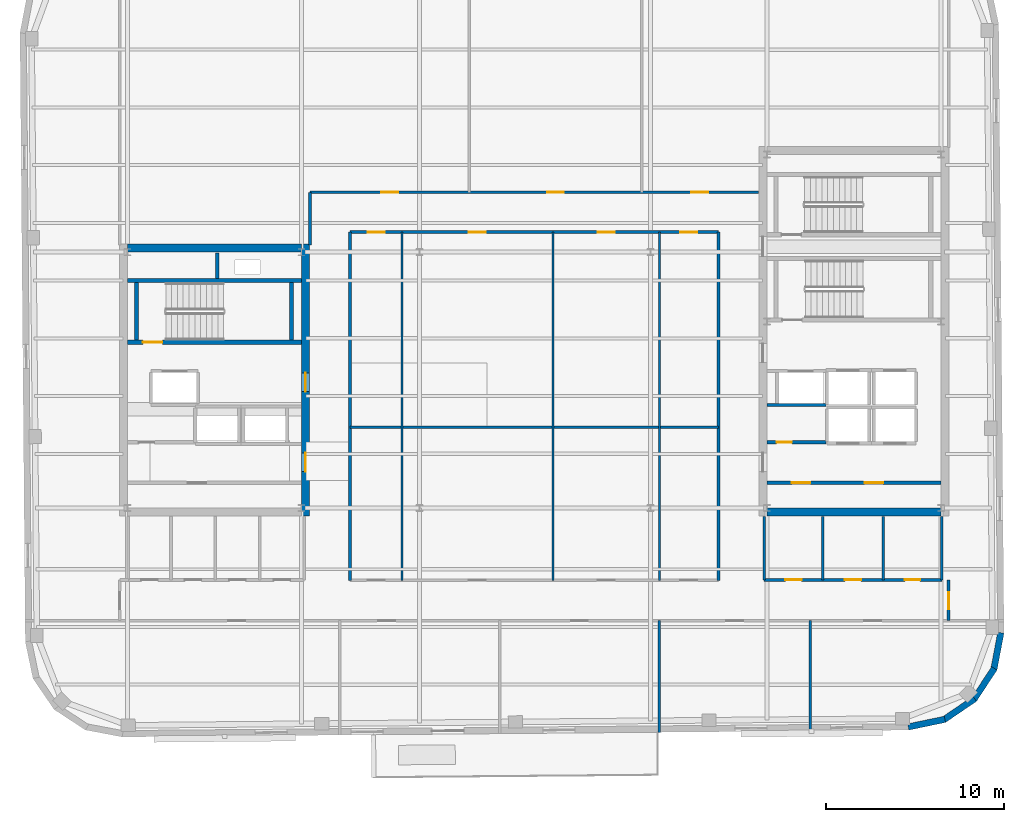
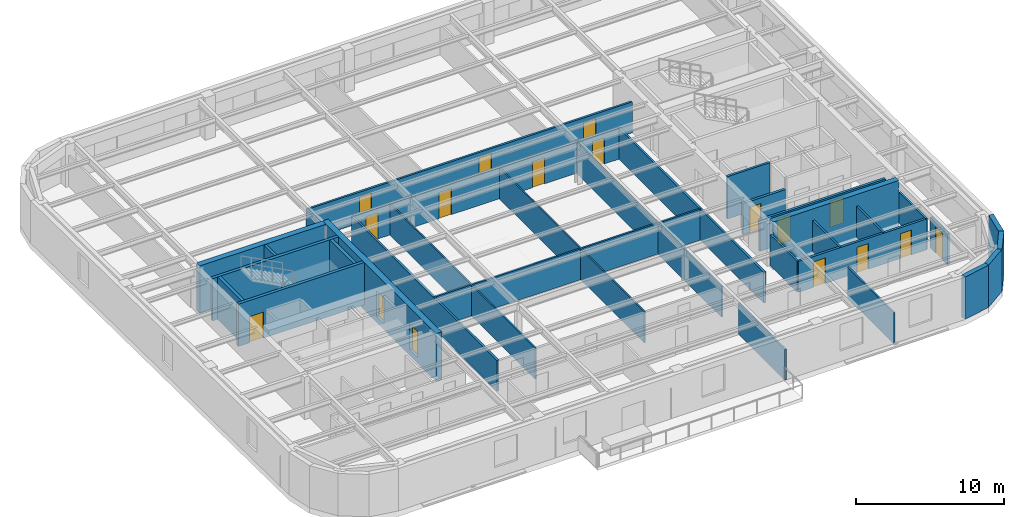
# One storey, part 8 of 14: 32 walls, 17 doors, 17 openings.
"""IFC4 building model written with IfcOpenShell, lengths in metres."""

from ifc_helpers import new_model, si_unit, direction, frame, frame_2d, origin, place, context, subcontext, project, spatial, rectangle, extrude, material, layer, layer_set, type_object, element, fill, save


model = new_model("IFC4")

# Units and contexts
model_context = context("Model", 3, precision=1e-05, world=origin(), true_north=direction((0.0, 1.0)))
body_context = subcontext(model_context, "Body", "Model", "MODEL_VIEW")
ifc_project = project(units=[si_unit("LENGTHUNIT", "METRE"), si_unit("AREAUNIT", "SQUARE_METRE"), si_unit("VOLUMEUNIT", "CUBIC_METRE"), si_unit("PLANEANGLEUNIT", "RADIAN"), si_unit("MASSUNIT", "GRAM", prefix="KILO")], contexts=[model_context])

# Site, building, storey
site_placement = place(None, origin())
site = spatial("IfcSite", under=ifc_project, at=site_placement, CompositionType="ELEMENT")
building_placement = place(site_placement, origin())
building = spatial("IfcBuilding", under=site, at=building_placement, Name="Kolvaren Arena Tower", CompositionType="ELEMENT")
storey_placement = place(building_placement, frame((0.0, 0.0, 274.89990234375)))
storey = spatial("IfcBuildingStorey", under=building, at=storey_placement, Name="L67", CompositionType="ELEMENT", Elevation=274.89990234375)

# Wall
ifc_material_1 = material(Name="Gypsum board acoustic assembly", Category="gypsum")
ifc_layer_1 = layer(ifc_material_1, 0.159912109375)
ifc_layer_set_1 = layer_set([ifc_layer_1], Name="Gypsum board acoustic assembly")
wall_type_1 = type_object("IfcWallType", Name="CORR-160", PredefinedType="PARTITIONING", material=ifc_layer_set_1)
wall_1_placement = place(storey_placement, frame((24.820068359375, 34.25, 0.0), z_axis=(0.0, 0.0, 1.0), x_axis=(0.0, 1.0, 0.0)))
element("IfcWall", 1, at=wall_1_placement, inside=storey, type_object=wall_type_1, Name="Interior Partition Wall (L67)", PredefinedType="PARTITIONING", context=body_context, shape_type="SweptSolid", body=[
    extrude(rectangle(XDim=2.969970703125, YDim=0.159912109375, at=frame_2d((1.48486328125, 0.0))), origin(), (0.0, 0.0, 1.0), 2.5400390625),
])

# Wall, openings, doors
wall_2_placement = place(storey_placement, frame((24.820068359375, 37.219970703125, 0.0), z_axis=(0.0, 0.0, 1.0), x_axis=(1.0, 0.0, 0.0)))
wall_2 = element("IfcWall", 2, at=wall_2_placement, inside=storey, type_object=wall_type_1, Name="Interior Partition Wall (L67)", PredefinedType="PARTITIONING", context=body_context, shape_type="SweptSolid", body=[
    extrude(rectangle(XDim=25.260009765625, YDim=0.159912109375, at=frame_2d((12.6298828125, 0.0))), origin(), (0.0, 0.0, 1.0), 2.5400390625),
])
opening_1_placement = place(wall_2_placement, frame((4.030029296875, 0.0, 0.0)))
opening_1 = element("IfcOpeningElement", 3, at=opening_1_placement, cuts=wall_2, Name="Opening D05", PredefinedType="OPENING", context=body_context, shape_type="SweptSolid", body=[
    extrude(rectangle(XDim=0.949951171875, YDim=2.14990234375, at=frame_2d((0.47509765625, 1.074951171875))), frame((0.0, 0.08984375, 0.0), z_axis=(0.0, -1.0, 0.0), x_axis=(1.0, 0.0, 0.0)), (0.0, 0.0, 1.0), 0.179931640625),
])
opening_2_placement = place(wall_2_placement, frame((13.35498046875, 0.0, 0.0)))
opening_2 = element("IfcOpeningElement", 4, at=opening_2_placement, cuts=wall_2, Name="Opening D05", PredefinedType="OPENING", context=body_context, shape_type="SweptSolid", body=[
    extrude(rectangle(XDim=0.949951171875, YDim=2.14990234375, at=frame_2d((0.47509765625, 1.074951171875))), frame((0.0, 0.08984375, 0.0), z_axis=(0.0, -1.0, 0.0), x_axis=(1.0, 0.0, 0.0)), (0.0, 0.0, 1.0), 0.179931640625),
])
opening_3_placement = place(wall_2_placement, frame((21.47998046875, 0.0, 0.0)))
opening_3 = element("IfcOpeningElement", 5, at=opening_3_placement, cuts=wall_2, Name="Opening D05", PredefinedType="OPENING", context=body_context, shape_type="SweptSolid", body=[
    extrude(rectangle(XDim=0.949951171875, YDim=2.14990234375, at=frame_2d((0.47509765625, 1.074951171875))), frame((0.0, 0.08984375, 0.0), z_axis=(0.0, -1.0, 0.0), x_axis=(1.0, 0.0, 0.0)), (0.0, 0.0, 1.0), 0.179931640625),
])
ifc_material_2 = material(Name="Solid-core oak acoustic office door", Category="wood")
door_type_1 = type_object("IfcDoorType", Name="DOOR-OF-095", OperationType="NOTDEFINED", PredefinedType="DOOR", material=ifc_material_2)
door_1_placement = place(opening_1_placement, origin())
door_1 = element("IfcDoor", 6, at=door_1_placement, inside=storey, type_object=door_type_1, Name="Breakout Pantry and Kitchen Door (L67)", OperationType="SINGLE_SWING_RIGHT", OverallHeight=2.14990234375, OverallWidth=0.949951171875, PredefinedType="DOOR", context=body_context, shape_type="SweptSolid", body=[
    extrude(rectangle(XDim=0.949951171875, YDim=2.14990234375, at=frame_2d((0.47509765625, 1.074951171875))), frame((0.0, 0.02490234375, 0.0), z_axis=(0.0, -1.0, 0.0), x_axis=(1.0, 0.0, 0.0)), (0.0, 0.0, 1.0), 0.050048828125),
])
fill(opening_1, door_1)
door_2_placement = place(opening_2_placement, origin())
door_2 = element("IfcDoor", 7, at=door_2_placement, inside=storey, type_object=door_type_1, Name="Open Plan Office Door (L67)", OperationType="SINGLE_SWING_LEFT", OverallHeight=2.14990234375, OverallWidth=0.949951171875, PredefinedType="DOOR", context=body_context, shape_type="SweptSolid", body=[
    extrude(rectangle(XDim=0.949951171875, YDim=2.14990234375, at=frame_2d((0.47509765625, 1.074951171875))), frame((0.0, 0.02490234375, 0.0), z_axis=(0.0, -1.0, 0.0), x_axis=(1.0, 0.0, 0.0)), (0.0, 0.0, 1.0), 0.050048828125),
])
fill(opening_2, door_2)
door_3_placement = place(opening_3_placement, origin())
door_3 = element("IfcDoor", 8, at=door_3_placement, inside=storey, type_object=door_type_1, Name="Training Seminar Room Door (L67)", OperationType="SINGLE_SWING_RIGHT", OverallHeight=2.14990234375, OverallWidth=0.949951171875, PredefinedType="DOOR", context=body_context, shape_type="SweptSolid", body=[
    extrude(rectangle(XDim=0.949951171875, YDim=2.14990234375, at=frame_2d((0.47509765625, 1.074951171875))), frame((0.0, 0.02490234375, 0.0), z_axis=(0.0, -1.0, 0.0), x_axis=(1.0, 0.0, 0.0)), (0.0, 0.0, 1.0), 0.050048828125),
])
fill(opening_3, door_3)

wall_3_placement = place(storey_placement, frame((27.080078125, 34.97998046875, 0.0), z_axis=(0.0, 0.0, 1.0), x_axis=(1.0, 0.0, 0.0)))
wall_3 = element("IfcWall", 9, at=wall_3_placement, inside=storey, type_object=wall_type_1, Name="Interior Partition Wall (L67)", PredefinedType="PARTITIONING", context=body_context, shape_type="SweptSolid", body=[
    extrude(rectangle(XDim=20.739990234375, YDim=0.159912109375, at=frame_2d((10.3701171875, 0.0))), origin(), (0.0, 0.0, 1.0), 2.5400390625),
])
opening_4_placement = place(wall_3_placement, frame((0.9951171875, 0.0, 0.0)))
opening_4 = element("IfcOpeningElement", 10, at=opening_4_placement, cuts=wall_3, Name="Opening D05", PredefinedType="OPENING", context=body_context, shape_type="SweptSolid", body=[
    extrude(rectangle(XDim=0.949951171875, YDim=2.14990234375, at=frame_2d((0.47509765625, 1.074951171875))), frame((0.0, 0.08984375, 0.0), z_axis=(0.0, -1.0, 0.0), x_axis=(1.0, 0.0, 0.0)), (0.0, 0.0, 1.0), 0.179931640625),
])
opening_5_placement = place(wall_3_placement, frame((6.695068359375, 0.0, 0.0)))
opening_5 = element("IfcOpeningElement", 11, at=opening_5_placement, cuts=wall_3, Name="Opening D05", PredefinedType="OPENING", context=body_context, shape_type="SweptSolid", body=[
    extrude(rectangle(XDim=0.949951171875, YDim=2.14990234375, at=frame_2d((0.47509765625, 1.074951171875))), frame((0.0, 0.08984375, 0.0), z_axis=(0.0, -1.0, 0.0), x_axis=(1.0, 0.0, 0.0)), (0.0, 0.0, 1.0), 0.179931640625),
])
opening_6_placement = place(wall_3_placement, frame((13.945068359375, 0.0, 0.0)))
opening_6 = element("IfcOpeningElement", 12, at=opening_6_placement, cuts=wall_3, Name="Opening D05", PredefinedType="OPENING", context=body_context, shape_type="SweptSolid", body=[
    extrude(rectangle(XDim=0.949951171875, YDim=2.14990234375, at=frame_2d((0.47509765625, 1.074951171875))), frame((0.0, 0.08984375, 0.0), z_axis=(0.0, -1.0, 0.0), x_axis=(1.0, 0.0, 0.0)), (0.0, 0.0, 1.0), 0.179931640625),
])
opening_7_placement = place(wall_3_placement, frame((18.594970703125, 0.0, 0.0)))
opening_7 = element("IfcOpeningElement", 13, at=opening_7_placement, cuts=wall_3, Name="Opening D05", PredefinedType="OPENING", context=body_context, shape_type="SweptSolid", body=[
    extrude(rectangle(XDim=0.949951171875, YDim=2.14990234375, at=frame_2d((0.47509765625, 1.074951171875))), frame((0.0, 0.08984375, 0.0), z_axis=(0.0, -1.0, 0.0), x_axis=(1.0, 0.0, 0.0)), (0.0, 0.0, 1.0), 0.179931640625),
])
door_4_placement = place(opening_4_placement, origin())
door_4 = element("IfcDoor", 14, at=door_4_placement, inside=storey, type_object=door_type_1, Name="Wellness Room Door (L67)", OperationType="SINGLE_SWING_LEFT", OverallHeight=2.14990234375, OverallWidth=0.949951171875, PredefinedType="DOOR", context=body_context, shape_type="SweptSolid", body=[
    extrude(rectangle(XDim=0.949951171875, YDim=2.14990234375, at=frame_2d((0.47509765625, 1.074951171875))), frame((0.0, 0.02490234375, 0.0), z_axis=(0.0, -1.0, 0.0), x_axis=(1.0, 0.0, 0.0)), (0.0, 0.0, 1.0), 0.050048828125),
])
fill(opening_4, door_4)
door_5_placement = place(opening_5_placement, origin())
door_5 = element("IfcDoor", 15, at=door_5_placement, inside=storey, type_object=door_type_1, Name="Boardroom Door (L67)", OperationType="SINGLE_SWING_LEFT", OverallHeight=2.14990234375, OverallWidth=0.949951171875, PredefinedType="DOOR", context=body_context, shape_type="SweptSolid", body=[
    extrude(rectangle(XDim=0.949951171875, YDim=2.14990234375, at=frame_2d((0.47509765625, 1.074951171875))), frame((0.0, 0.02490234375, 0.0), z_axis=(0.0, -1.0, 0.0), x_axis=(1.0, 0.0, 0.0)), (0.0, 0.0, 1.0), 0.050048828125),
])
fill(opening_5, door_5)
door_6_placement = place(opening_6_placement, origin())
door_6 = element("IfcDoor", 16, at=door_6_placement, inside=storey, type_object=door_type_1, Name="Client Lounge Door (L67)", OperationType="SINGLE_SWING_LEFT", OverallHeight=2.14990234375, OverallWidth=0.949951171875, PredefinedType="DOOR", context=body_context, shape_type="SweptSolid", body=[
    extrude(rectangle(XDim=0.949951171875, YDim=2.14990234375, at=frame_2d((0.47509765625, 1.074951171875))), frame((0.0, 0.02490234375, 0.0), z_axis=(0.0, -1.0, 0.0), x_axis=(1.0, 0.0, 0.0)), (0.0, 0.0, 1.0), 0.050048828125),
])
fill(opening_6, door_6)
door_7_placement = place(opening_7_placement, origin())
door_7 = element("IfcDoor", 17, at=door_7_placement, inside=storey, type_object=door_type_1, Name="Wellness Room Door (L67)", OperationType="SINGLE_SWING_LEFT", OverallHeight=2.14990234375, OverallWidth=0.949951171875, PredefinedType="DOOR", context=body_context, shape_type="SweptSolid", body=[
    extrude(rectangle(XDim=0.949951171875, YDim=2.14990234375, at=frame_2d((0.47509765625, 1.074951171875))), frame((0.0, 0.02490234375, 0.0), z_axis=(0.0, -1.0, 0.0), x_axis=(1.0, 0.0, 0.0)), (0.0, 0.0, 1.0), 0.050048828125),
])
fill(opening_7, door_7)

# Walls
for number, where, z_axis, x_axis, name in (
    (18, (27.080078125, 15.3798828125, 0.0), (0.0, 0.0, 1.0), (0.0, 1.0, 0.0), "Interior Partition Wall (L67)"),
    (19, (47.820068359375, 15.3798828125, 0.0), (0.0, 0.0, 1.0), (0.0, 1.0, 0.0), "Interior Partition Wall (L67)"),
):
    element("IfcWall", number, at=place(storey_placement, frame(where, z_axis=z_axis, x_axis=x_axis)), inside=storey, type_object=wall_type_1, Name=name, PredefinedType="PARTITIONING", context=body_context, shape_type="SweptSolid", body=[
        extrude(rectangle(XDim=19.60009765625, YDim=0.159912109375, at=frame_2d((9.800048828125, 0.0))), origin(), (0.0, 0.0, 1.0), 2.5400390625),
    ])

# Wall, opening, door
wall_4_placement = place(storey_placement, frame((60.780029296875, 13.10009765625, 0.0), z_axis=(0.0, 0.0, 1.0), x_axis=(0.0, 1.0, 0.0)))
wall_4 = element("IfcWall", 20, at=wall_4_placement, inside=storey, type_object=wall_type_1, Name="Interior Partition Wall (L67)", PredefinedType="PARTITIONING", context=body_context, shape_type="SweptSolid", body=[
    extrude(rectangle(XDim=2.2998046875, YDim=0.159912109375, at=frame_2d((1.14990234375, 0.0))), origin(), (0.0, 0.0, 1.0), 2.5400390625),
])
opening_8_placement = place(wall_4_placement, frame((0.64990234375, 0.0, 0.0)))
opening_8 = element("IfcOpeningElement", 21, at=opening_8_placement, cuts=wall_4, Name="Opening D05", PredefinedType="OPENING", context=body_context, shape_type="SweptSolid", body=[
    extrude(rectangle(XDim=0.949951171875, YDim=2.14990234375, at=frame_2d((0.47509765625, 1.074951171875))), frame((0.0, 0.08984375, 0.0), z_axis=(0.0, -1.0, 0.0), x_axis=(1.0, 0.0, 0.0)), (0.0, 0.0, 1.0), 0.179931640625),
])
door_8_placement = place(opening_8_placement, origin())
door_8 = element("IfcDoor", 22, at=door_8_placement, inside=storey, type_object=door_type_1, Name="East Wing Studio Door (L67)", OperationType="SINGLE_SWING_RIGHT", OverallHeight=2.14990234375, OverallWidth=0.949951171875, PredefinedType="DOOR", context=body_context, shape_type="SweptSolid", body=[
    extrude(rectangle(XDim=0.949951171875, YDim=2.14990234375, at=frame_2d((0.47509765625, 1.074951171875))), frame((0.0, 0.02490234375, 0.0), z_axis=(0.0, -1.0, 0.0), x_axis=(1.0, 0.0, 0.0)), (0.0, 0.0, 1.0), 0.050048828125),
])
fill(opening_8, door_8)

# Wall, openings, doors
ifc_material_3 = material(Name="Concrete 55 MPa", Category="concrete")
ifc_layer_2 = layer(ifc_material_3, 0.449951171875)
ifc_layer_set_2 = layer_set([ifc_layer_2], Name="Concrete 55 MPa")
wall_type_2 = type_object("IfcWallType", Name="CWALL-450", PredefinedType="SHEAR", material=ifc_layer_set_2)
wall_5_placement = place(storey_placement, frame((24.574951171875, 19.0, -0.449951171875), z_axis=(0.0, 0.0, 1.0), x_axis=(0.0, 1.0, 0.0)))
wall_5 = element("IfcWall", 23, at=wall_5_placement, inside=storey, type_object=wall_type_2, Name="Core Shear Wall WC-EAST (L67)", PredefinedType="SHEAR", context=body_context, shape_type="SweptSolid", body=[
    extrude(rectangle(XDim=15.300048828125, YDim=0.449951171875, at=frame_2d((7.64990234375, 0.0))), origin(), (0.0, 0.0, 1.0), 3.929931640625),
])
opening_9_placement = place(wall_5_placement, frame((2.5, 0.0, 0.449951171875)))
opening_9 = element("IfcOpeningElement", 24, at=opening_9_placement, cuts=wall_5, Name="Opening D04", PredefinedType="OPENING", context=body_context, shape_type="SweptSolid", body=[
    extrude(rectangle(XDim=1.050048828125, YDim=2.14990234375, at=frame_2d((0.52490234375, 1.074951171875))), frame((0.0, 0.23486328125, 0.0), z_axis=(0.0, -1.0, 0.0), x_axis=(1.0, 0.0, 0.0)), (0.0, 0.0, 1.0), 0.469970703125),
])
opening_10_placement = place(wall_5_placement, frame((7.0, 0.0, 0.449951171875)))
opening_10 = element("IfcOpeningElement", 25, at=opening_10_placement, cuts=wall_5, Name="Opening D04", PredefinedType="OPENING", context=body_context, shape_type="SweptSolid", body=[
    extrude(rectangle(XDim=1.050048828125, YDim=2.14990234375, at=frame_2d((0.52490234375, 1.074951171875))), frame((0.0, 0.23486328125, 0.0), z_axis=(0.0, -1.0, 0.0), x_axis=(1.0, 0.0, 0.0)), (0.0, 0.0, 1.0), 0.469970703125),
])
ifc_material_4 = material(Name="Fire-rated steel lobby door", Category="steel")
door_type_2 = type_object("IfcDoorType", Name="DOOR-FF-105", OperationType="NOTDEFINED", PredefinedType="DOOR", material=ifc_material_4)
door_9_placement = place(opening_9_placement, origin())
door_9 = element("IfcDoor", 26, at=door_9_placement, inside=storey, type_object=door_type_2, Name="West Lift Lobby Fire Door (L67)", OperationType="SINGLE_SWING_LEFT", OverallHeight=2.14990234375, OverallWidth=1.050048828125, PredefinedType="DOOR", context=body_context, shape_type="SweptSolid", body=[
    extrude(rectangle(XDim=1.050048828125, YDim=2.14990234375, at=frame_2d((0.52490234375, 1.074951171875))), frame((0.0, 0.02490234375, 0.0), z_axis=(0.0, -1.0, 0.0), x_axis=(1.0, 0.0, 0.0)), (0.0, 0.0, 1.0), 0.050048828125),
])
fill(opening_9, door_9)
door_10_placement = place(opening_10_placement, origin())
door_10 = element("IfcDoor", 27, at=door_10_placement, inside=storey, type_object=door_type_2, Name="West Firefighter Vestibule Door (L67)", OperationType="SINGLE_SWING_RIGHT", OverallHeight=2.14990234375, OverallWidth=1.050048828125, PredefinedType="DOOR", context=body_context, shape_type="SweptSolid", body=[
    extrude(rectangle(XDim=1.050048828125, YDim=2.14990234375, at=frame_2d((0.52490234375, 1.074951171875))), frame((0.0, 0.02490234375, 0.0), z_axis=(0.0, -1.0, 0.0), x_axis=(1.0, 0.0, 0.0)), (0.0, 0.0, 1.0), 0.050048828125),
])
fill(opening_10, door_10)

# Walls
for number, where, z_axis, x_axis, name in (
    (28, (14.550048828125, 34.074951171875, -0.449951171875), (0.0, 0.0, 1.0), (1.0, 0.0, 0.0), "Core Shear Wall WC-NORTH (L67)"),
    (29, (50.550048828125, 19.22509765625, -0.449951171875), (0.0, 0.0, 1.0), (1.0, 0.0, 0.0), "Core Shear Wall EC-SOUTH (L67)"),
):
    element("IfcWall", number, at=place(storey_placement, frame(where, z_axis=z_axis, x_axis=x_axis)), inside=storey, type_object=wall_type_2, Name=name, PredefinedType="SHEAR", context=body_context, shape_type="SweptSolid", body=[
        extrude(rectangle(XDim=9.800048828125, YDim=0.449951171875, at=frame_2d((4.89990234375, 0.0))), origin(), (0.0, 0.0, 1.0), 3.929931640625),
    ])
ifc_material_5 = material(Name="Precast concrete C50/60", Category="concrete")
ifc_layer_3 = layer(ifc_material_5, 0.360107421875)
ifc_layer_set_3 = layer_set([ifc_layer_3], Name="Precast concrete C50/60")
wall_type_3 = type_object("IfcWallType", Name="EXT-PIER2", PredefinedType="SOLIDWALL", material=ifc_layer_set_3)
wall_6_placement = place(storey_placement, frame((60.572265625, 7.54931640625, 0.0), z_axis=(0.0, 0.0, 1.0), x_axis=(-0.979059388908, -0.203574833883, 0.0)))
element("IfcWall", 30, at=wall_6_placement, inside=storey, type_object=wall_type_3, Name="Exterior Precast Masonry-Frame Wall (L67)", PredefinedType="SOLIDWALL", context=body_context, shape_type="SweptSolid", body=[
    extrude(rectangle(XDim=2.107177734375, YDim=0.360107421875, at=frame_2d((1.0537109375, 0.0))), origin(), (0.0, 0.0, 1.0), 3.47998046875),
])
for number, where, z_axis, x_axis, name in (
    (31, (62.2490234375, 8.707763671875, 0.0), (0.0, 0.0, 1.0), (-0.826572866302, -0.562829722645, 0.0), "Exterior Precast Masonry-Frame Wall (L67)"),
    (32, (63.35498046875, 10.419921875, 0.0), (0.0, 0.0, 1.0), (-0.54818559406, -0.836356714844, 0.0), "Exterior Precast Masonry-Frame Wall (L67)"),
    (33, (63.7216796875, 12.4248046875, 0.0), (0.0, 0.0, 1.0), (-0.186435855703, -0.98246713518, 0.0), "Exterior Precast Masonry-Frame Wall (L67)"),
):
    element("IfcWall", number, at=place(storey_placement, frame(where, z_axis=z_axis, x_axis=x_axis)), inside=storey, type_object=wall_type_3, Name=name, PredefinedType="SOLIDWALL", context=body_context, shape_type="SweptSolid", body=[
        extrude(rectangle(XDim=2.10693359375, YDim=0.360107421875, at=frame_2d((1.053466796875, 0.0))), origin(), (0.0, 0.0, 1.0), 3.47998046875),
    ])

# Wall, openings, doors
ifc_material_6 = material(Name="Concrete 40 MPa", Category="concrete")
ifc_layer_4 = layer(ifc_material_6, 0.199951171875)
ifc_layer_set_4 = layer_set([ifc_layer_4], Name="Concrete 40 MPa")
wall_type_4 = type_object("IfcWallType", Name="LOBBY-200", PredefinedType="SOLIDWALL", material=ifc_layer_set_4)
wall_7_placement = place(storey_placement, frame((50.550048828125, 20.8798828125, 0.0), z_axis=(0.0, 0.0, 1.0), x_axis=(1.0, 0.0, 0.0)))
wall_7 = element("IfcWall", 34, at=wall_7_placement, inside=storey, type_object=wall_type_4, Name="Core Shaft Wall (L67)", PredefinedType="SOLIDWALL", context=body_context, shape_type="SweptSolid", body=[
    extrude(rectangle(XDim=9.800048828125, YDim=0.199951171875, at=frame_2d((4.89990234375, 0.0))), origin(), (0.0, 0.0, 1.0), 2.5400390625),
])
opening_11_placement = place(wall_7_placement, frame((1.39990234375, 0.0, 0.0)))
opening_11 = element("IfcOpeningElement", 35, at=opening_11_placement, cuts=wall_7, Name="Opening D04", PredefinedType="OPENING", context=body_context, shape_type="SweptSolid", body=[
    extrude(rectangle(XDim=1.050048828125, YDim=2.14990234375, at=frame_2d((0.52490234375, 1.074951171875))), frame((0.0, 0.10986328125, 0.0), z_axis=(0.0, -1.0, 0.0), x_axis=(1.0, 0.0, 0.0)), (0.0, 0.0, 1.0), 0.219970703125),
])
opening_12_placement = place(wall_7_placement, frame((5.5, 0.0, 0.0)))
opening_12 = element("IfcOpeningElement", 36, at=opening_12_placement, cuts=wall_7, Name="Opening D04", PredefinedType="OPENING", context=body_context, shape_type="SweptSolid", body=[
    extrude(rectangle(XDim=1.050048828125, YDim=2.14990234375, at=frame_2d((0.52490234375, 1.074951171875))), frame((0.0, 0.10986328125, 0.0), z_axis=(0.0, -1.0, 0.0), x_axis=(1.0, 0.0, 0.0)), (0.0, 0.0, 1.0), 0.219970703125),
])
door_11_placement = place(opening_11_placement, origin())
door_11 = element("IfcDoor", 37, at=door_11_placement, inside=storey, type_object=door_type_2, Name="East Telecom Room Fire Door (L67)", OperationType="SINGLE_SWING_RIGHT", OverallHeight=2.14990234375, OverallWidth=1.050048828125, PredefinedType="DOOR", context=body_context, shape_type="SweptSolid", body=[
    extrude(rectangle(XDim=1.050048828125, YDim=2.14990234375, at=frame_2d((0.52490234375, 1.074951171875))), frame((0.0, 0.02490234375, 0.0), z_axis=(0.0, -1.0, 0.0), x_axis=(1.0, 0.0, 0.0)), (0.0, 0.0, 1.0), 0.050048828125),
])
fill(opening_11, door_11)
door_12_placement = place(opening_12_placement, origin())
door_12 = element("IfcDoor", 38, at=door_12_placement, inside=storey, type_object=door_type_2, Name="East Records Room Fire Door (L67)", OperationType="SINGLE_SWING_LEFT", OverallHeight=2.14990234375, OverallWidth=1.050048828125, PredefinedType="DOOR", context=body_context, shape_type="SweptSolid", body=[
    extrude(rectangle(XDim=1.050048828125, YDim=2.14990234375, at=frame_2d((0.52490234375, 1.074951171875))), frame((0.0, 0.02490234375, 0.0), z_axis=(0.0, -1.0, 0.0), x_axis=(1.0, 0.0, 0.0)), (0.0, 0.0, 1.0), 0.050048828125),
])
fill(opening_12, door_12)

# Wall, opening, door
wall_8_placement = place(storey_placement, frame((50.550048828125, 23.159912109375, 0.0), z_axis=(0.0, 0.0, 1.0), x_axis=(1.0, 0.0, 0.0)))
wall_8 = element("IfcWall", 39, at=wall_8_placement, inside=storey, type_object=wall_type_4, Name="Core Shaft Wall (L67)", PredefinedType="SOLIDWALL", context=body_context, shape_type="SweptSolid", body=[
    extrude(rectangle(XDim=3.329833984375, YDim=0.199951171875, at=frame_2d((1.6650390625, 0.0))), origin(), (0.0, 0.0, 1.0), 2.5400390625),
])
opening_13_placement = place(wall_8_placement, frame((0.550048828125, 0.0, 0.0)))
opening_13 = element("IfcOpeningElement", 40, at=opening_13_placement, cuts=wall_8, Name="Opening D09", PredefinedType="OPENING", context=body_context, shape_type="SweptSolid", body=[
    extrude(rectangle(XDim=0.860107421875, YDim=2.050048828125, at=frame_2d((0.43017578125, 1.02490234375))), frame((0.0, 0.10986328125, 0.0), z_axis=(0.0, -1.0, 0.0), x_axis=(1.0, 0.0, 0.0)), (0.0, 0.0, 1.0), 0.219970703125),
])
ifc_material_7 = material(Name="Fire-rated steel riser access door", Category="steel")
door_type_3 = type_object("IfcDoorType", Name="DOOR-RS-086", OperationType="NOTDEFINED", PredefinedType="DOOR", material=ifc_material_7)
door_13_placement = place(opening_13_placement, origin())
door_13 = element("IfcDoor", 41, at=door_13_placement, inside=storey, type_object=door_type_3, Name="East AV Riser Closet Door (L67)", OperationType="SINGLE_SWING_LEFT", OverallHeight=2.050048828125, OverallWidth=0.860107421875, PredefinedType="DOOR", context=body_context, shape_type="SweptSolid", body=[
    extrude(rectangle(XDim=0.860107421875, YDim=2.050048828125, at=frame_2d((0.43017578125, 1.02490234375))), frame((0.0, 0.02490234375, 0.0), z_axis=(0.0, -1.0, 0.0), x_axis=(1.0, 0.0, 0.0)), (0.0, 0.0, 1.0), 0.050048828125),
])
fill(opening_13, door_13)

# Walls
ifc_material_8 = material(Name="Gypsum board partition assembly", Category="gypsum")
ifc_layer_5 = layer(ifc_material_8, 0.114990234375)
ifc_layer_set_5 = layer_set([ifc_layer_5], Name="Gypsum board partition assembly")
wall_type_5 = type_object("IfcWallType", Name="PART-115", PredefinedType="PARTITIONING", material=ifc_layer_set_5)
for number, where, z_axis, x_axis, name in (
    (42, (30.0, 15.3798828125, 0.0), (0.0, 0.0, 1.0), (0.0, 1.0, 0.0), "Interior Partition Wall (L67)"),
    (43, (38.5, 15.3798828125, 0.0), (0.0, 0.0, 1.0), (0.0, 1.0, 0.0), "Interior Partition Wall (L67)"),
    (44, (44.5, 15.3798828125, 0.0), (0.0, 0.0, 1.0), (0.0, 1.0, 0.0), "Interior Partition Wall (L67)"),
):
    element("IfcWall", number, at=place(storey_placement, frame(where, z_axis=z_axis, x_axis=x_axis)), inside=storey, type_object=wall_type_5, Name=name, PredefinedType="PARTITIONING", context=body_context, shape_type="SweptSolid", body=[
        extrude(rectangle(XDim=19.60009765625, YDim=0.114990234375, at=frame_2d((9.800048828125, 0.0))), origin(), (0.0, 0.0, 1.0), 2.5400390625),
    ])
ifc_layer_6 = layer(ifc_material_8, 0.135009765625)
ifc_layer_set_6 = layer_set([ifc_layer_6], Name="Gypsum board partition assembly")
wall_type_6 = type_object("IfcWallType", Name="PART-135", PredefinedType="PARTITIONING", material=ifc_layer_set_6)
wall_9_placement = place(storey_placement, frame((44.5, 6.821533203125, 0.0), z_axis=(0.0, 0.0, 1.0), x_axis=(0.0, 1.0, 0.0)))
element("IfcWall", 45, at=wall_9_placement, inside=storey, type_object=wall_type_6, Name="Interior Partition Wall (L67)", PredefinedType="PARTITIONING", context=body_context, shape_type="SweptSolid", body=[
    extrude(rectangle(XDim=6.278564453125, YDim=0.135009765625, at=frame_2d((3.13916015625, 0.0))), origin(), (0.0, 0.0, 1.0), 2.5400390625),
])
wall_10_placement = place(storey_placement, frame((53.0, 6.895751953125, 0.0), z_axis=(0.0, 0.0, 1.0), x_axis=(0.0, 1.0, 0.0)))
element("IfcWall", 46, at=wall_10_placement, inside=storey, type_object=wall_type_6, Name="Interior Partition Wall (L67)", PredefinedType="PARTITIONING", context=body_context, shape_type="SweptSolid", body=[
    extrude(rectangle(XDim=6.204345703125, YDim=0.135009765625, at=frame_2d((3.10205078125, 0.0))), origin(), (0.0, 0.0, 1.0), 2.5400390625),
])
wall_11_placement = place(storey_placement, frame((27.080078125, 24.0, 0.0), z_axis=(0.0, 0.0, 1.0), x_axis=(1.0, 0.0, 0.0)))
element("IfcWall", 47, at=wall_11_placement, inside=storey, type_object=wall_type_6, Name="Interior Partition Wall (L67)", PredefinedType="PARTITIONING", context=body_context, shape_type="SweptSolid", body=[
    extrude(rectangle(XDim=20.739990234375, YDim=0.135009765625, at=frame_2d((10.3701171875, 0.0))), origin(), (0.0, 0.0, 1.0), 2.5400390625),
])

# Wall, opening, door
ifc_material_9 = material(Name="Concrete 45 MPa", Category="concrete")
ifc_layer_7 = layer(ifc_material_9, 0.25)
ifc_layer_set_7 = layer_set([ifc_layer_7], Name="Concrete 45 MPa")
wall_type_7 = type_object("IfcWallType", Name="SHAFT-250", PredefinedType="SOLIDWALL", material=ifc_layer_set_7)
wall_12_placement = place(storey_placement, frame((24.35009765625, 28.780029296875, 0.0), z_axis=(0.0, 0.0, 1.0), x_axis=(-1.0, 0.0, 0.0)))
wall_12 = element("IfcWall", 48, at=wall_12_placement, inside=storey, type_object=wall_type_7, Name="Core Shaft Wall (L67)", PredefinedType="SOLIDWALL", context=body_context, shape_type="SweptSolid", body=[
    extrude(rectangle(XDim=9.800048828125, YDim=0.239990234375, at=frame_2d((4.89990234375, 0.0))), origin(), (0.0, 0.0, 1.0), 3.47998046875),
])
opening_14_placement = place(wall_12_placement, frame((7.830078125, 0.0, 0.0)))
opening_14 = element("IfcOpeningElement", 49, at=opening_14_placement, cuts=wall_12, Name="Opening D03", PredefinedType="OPENING", context=body_context, shape_type="SweptSolid", body=[
    extrude(rectangle(XDim=1.10009765625, YDim=2.14990234375, at=frame_2d((0.550048828125, 1.074951171875))), frame((0.0, 0.1298828125, 0.0), z_axis=(0.0, -1.0, 0.0), x_axis=(1.0, 0.0, 0.0)), (0.0, 0.0, 1.0), 0.260009765625),
])
ifc_material_10 = material(Name="Fire-rated steel exit stair door", Category="steel")
door_type_4 = type_object("IfcDoorType", Name="DOOR-ST-110", OperationType="NOTDEFINED", PredefinedType="DOOR", material=ifc_material_10)
door_14_placement = place(opening_14_placement, origin())
door_14 = element("IfcDoor", 50, at=door_14_placement, inside=storey, type_object=door_type_4, Name="Stair ST-W1 Fire Door (L67)", OperationType="SINGLE_SWING_RIGHT", OverallHeight=2.14990234375, OverallWidth=1.10009765625, PredefinedType="DOOR", context=body_context, shape_type="SweptSolid", body=[
    extrude(rectangle(XDim=1.10009765625, YDim=2.14990234375, at=frame_2d((0.550048828125, 1.074951171875))), frame((0.0, 0.02490234375, 0.0), z_axis=(0.0, -1.0, 0.0), x_axis=(1.0, 0.0, 0.0)), (0.0, 0.0, 1.0), 0.050048828125),
])
fill(opening_14, door_14)

# Walls
wall_13_placement = place(storey_placement, frame((14.550048828125, 32.25, 0.0), z_axis=(0.0, 0.0, 1.0), x_axis=(1.0, 0.0, 0.0)))
element("IfcWall", 51, at=wall_13_placement, inside=storey, type_object=wall_type_7, Name="Core Shaft Wall (L67)", PredefinedType="SOLIDWALL", context=body_context, shape_type="SweptSolid", body=[
    extrude(rectangle(XDim=9.800048828125, YDim=0.239990234375, at=frame_2d((4.89990234375, 0.0))), origin(), (0.0, 0.0, 1.0), 3.47998046875),
])
for number, where, z_axis, x_axis, name in (
    (52, (15.06005859375, 28.89990234375, 0.0), (0.0, 0.0, 1.0), (0.0, 1.0, 0.0), "Core Shaft Wall (L67)"),
    (53, (23.780029296875, 28.89990234375, 0.0), (0.0, 0.0, 1.0), (0.0, 1.0, 0.0), "Core Shaft Wall (L67)"),
):
    element("IfcWall", number, at=place(storey_placement, frame(where, z_axis=z_axis, x_axis=x_axis)), inside=storey, type_object=wall_type_7, Name=name, PredefinedType="SOLIDWALL", context=body_context, shape_type="SweptSolid", body=[
        extrude(rectangle(XDim=3.22998046875, YDim=0.239990234375, at=frame_2d((1.614990234375, 0.0))), origin(), (0.0, 0.0, 1.0), 3.47998046875),
    ])
wall_14_placement = place(storey_placement, frame((19.60009765625, 32.3701171875, 0.0), z_axis=(0.0, 0.0, 1.0), x_axis=(0.0, 1.0, 0.0)))
element("IfcWall", 54, at=wall_14_placement, inside=storey, type_object=wall_type_7, Name="Core Shaft Wall (L67)", PredefinedType="SOLIDWALL", context=body_context, shape_type="SweptSolid", body=[
    extrude(rectangle(XDim=1.429931640625, YDim=0.199951171875, at=frame_2d((0.71484375, 0.0))), origin(), (0.0, 0.0, 1.0), 3.47998046875),
])
wall_15_placement = place(storey_placement, frame((50.550048828125, 25.2451171875, 0.0), z_axis=(0.0, 0.0, 1.0), x_axis=(1.0, 0.0, 0.0)))
element("IfcWall", 55, at=wall_15_placement, inside=storey, type_object=wall_type_7, Name="Core Shaft Wall (L67)", PredefinedType="SOLIDWALL", context=body_context, shape_type="SweptSolid", body=[
    extrude(rectangle(XDim=3.31494140625, YDim=0.179931640625, at=frame_2d((1.657470703125, 0.0))), origin(), (0.0, 0.0, 1.0), 3.47998046875),
])

# Wall, openings, doors
wall_16_placement = place(storey_placement, frame((50.39990234375, 15.39990234375, 0.0), z_axis=(0.0, 0.0, 1.0), x_axis=(1.0, 0.0, 0.0)))
wall_16 = element("IfcWall", 56, at=wall_16_placement, inside=storey, type_object=wall_type_7, Name="Interior Partition Wall (L67)", PredefinedType="SOLIDWALL", context=body_context, shape_type="SweptSolid", body=[
    extrude(rectangle(XDim=10.0, YDim=0.179931640625, at=frame_2d((5.0, 0.0))), origin(), (0.0, 0.0, 1.0), 2.5400390625),
])
opening_15_placement = place(wall_16_placement, frame((1.18994140625, 0.0, 0.0)))
opening_15 = element("IfcOpeningElement", 57, at=opening_15_placement, cuts=wall_16, Name="Opening D07", PredefinedType="OPENING", context=body_context, shape_type="SweptSolid", body=[
    extrude(rectangle(XDim=0.919921875, YDim=2.10009765625, at=frame_2d((0.4599609375, 1.050048828125))), frame((0.0, 0.099853515625, 0.0), z_axis=(0.0, -1.0, 0.0), x_axis=(1.0, 0.0, 0.0)), (0.0, 0.0, 1.0), 0.199951171875),
])
opening_16_placement = place(wall_16_placement, frame((4.5400390625, 0.0, 0.0)))
opening_16 = element("IfcOpeningElement", 58, at=opening_16_placement, cuts=wall_16, Name="Opening D07", PredefinedType="OPENING", context=body_context, shape_type="SweptSolid", body=[
    extrude(rectangle(XDim=0.919921875, YDim=2.10009765625, at=frame_2d((0.4599609375, 1.050048828125))), frame((0.0, 0.099853515625, 0.0), z_axis=(0.0, -1.0, 0.0), x_axis=(1.0, 0.0, 0.0)), (0.0, 0.0, 1.0), 0.199951171875),
])
opening_17_placement = place(wall_16_placement, frame((7.919921875, 0.0, 0.0)))
opening_17 = element("IfcOpeningElement", 59, at=opening_17_placement, cuts=wall_16, Name="Opening D09", PredefinedType="OPENING", context=body_context, shape_type="SweptSolid", body=[
    extrude(rectangle(XDim=0.860107421875, YDim=2.050048828125, at=frame_2d((0.43017578125, 1.02490234375))), frame((0.0, 0.099853515625, 0.0), z_axis=(0.0, -1.0, 0.0), x_axis=(1.0, 0.0, 0.0)), (0.0, 0.0, 1.0), 0.199951171875),
])
door_15_placement = place(opening_17_placement, origin())
door_15 = element("IfcDoor", 60, at=door_15_placement, inside=storey, type_object=door_type_3, Name="Mechanical Riser Closet Door (L67)", OperationType="SINGLE_SWING_LEFT", OverallHeight=2.050048828125, OverallWidth=0.860107421875, PredefinedType="DOOR", context=body_context, shape_type="SweptSolid", body=[
    extrude(rectangle(XDim=0.860107421875, YDim=2.050048828125, at=frame_2d((0.43017578125, 1.02490234375))), frame((0.0, 0.02490234375, 0.0), z_axis=(0.0, -1.0, 0.0), x_axis=(1.0, 0.0, 0.0)), (0.0, 0.0, 1.0), 0.050048828125),
])
fill(opening_17, door_15)
ifc_material_11 = material(Name="Laminate universal washroom door", Category="wood")
door_type_5 = type_object("IfcDoorType", Name="DOOR-WC-092", OperationType="NOTDEFINED", PredefinedType="DOOR", material=ifc_material_11)
door_16_placement = place(opening_15_placement, origin())
door_16 = element("IfcDoor", 61, at=door_16_placement, inside=storey, type_object=door_type_5, Name="Staff Pantry Door (L67)", OperationType="SINGLE_SWING_LEFT", OverallHeight=2.10009765625, OverallWidth=0.919921875, PredefinedType="DOOR", context=body_context, shape_type="SweptSolid", body=[
    extrude(rectangle(XDim=0.919921875, YDim=2.10009765625, at=frame_2d((0.4599609375, 1.050048828125))), frame((0.0, 0.02490234375, 0.0), z_axis=(0.0, -1.0, 0.0), x_axis=(1.0, 0.0, 0.0)), (0.0, 0.0, 1.0), 0.050048828125),
])
fill(opening_15, door_16)
door_17_placement = place(opening_16_placement, origin())
door_17 = element("IfcDoor", 62, at=door_17_placement, inside=storey, type_object=door_type_5, Name="Gender-Neutral Washroom Door (L67)", OperationType="SINGLE_SWING_RIGHT", OverallHeight=2.10009765625, OverallWidth=0.919921875, PredefinedType="DOOR", context=body_context, shape_type="SweptSolid", body=[
    extrude(rectangle(XDim=0.919921875, YDim=2.10009765625, at=frame_2d((0.4599609375, 1.050048828125))), frame((0.0, 0.02490234375, 0.0), z_axis=(0.0, -1.0, 0.0), x_axis=(1.0, 0.0, 0.0)), (0.0, 0.0, 1.0), 0.050048828125),
])
fill(opening_16, door_17)

# Walls
ifc_material_12 = material(Name="Moisture-resistant gypsum assembly", Category="gypsum")
ifc_layer_8 = layer(ifc_material_12, 0.14990234375)
ifc_layer_set_8 = layer_set([ifc_layer_8], Name="Moisture-resistant gypsum assembly")
wall_type_8 = type_object("IfcWallType", Name="WETW-150", PredefinedType="PARTITIONING", material=ifc_layer_set_8)
for number, where, z_axis, x_axis, name in (
    (63, (53.699951171875, 15.39990234375, 0.0), (0.0, 0.0, 1.0), (0.0, 1.0, 0.0), "Interior Partition Wall (L67)"),
    (64, (57.10009765625, 15.39990234375, 0.0), (0.0, 0.0, 1.0), (0.0, 1.0, 0.0), "Interior Partition Wall (L67)"),
    (65, (50.39990234375, 15.39990234375, 0.0), (0.0, 0.0, 1.0), (0.0, 1.0, 0.0), "Interior Partition Wall (L67)"),
    (66, (60.39990234375, 15.39990234375, 0.0), (0.0, 0.0, 1.0), (0.0, 1.0, 0.0), "Interior Partition Wall (L67)"),
):
    element("IfcWall", number, at=place(storey_placement, frame(where, z_axis=z_axis, x_axis=x_axis)), inside=storey, type_object=wall_type_8, Name=name, PredefinedType="PARTITIONING", context=body_context, shape_type="SweptSolid", body=[
        extrude(rectangle(XDim=3.580078125, YDim=0.14990234375, at=frame_2d((1.7900390625, 0.0))), origin(), (0.0, 0.0, 1.0), 2.5400390625),
    ])

save(model, "model.ifc")
